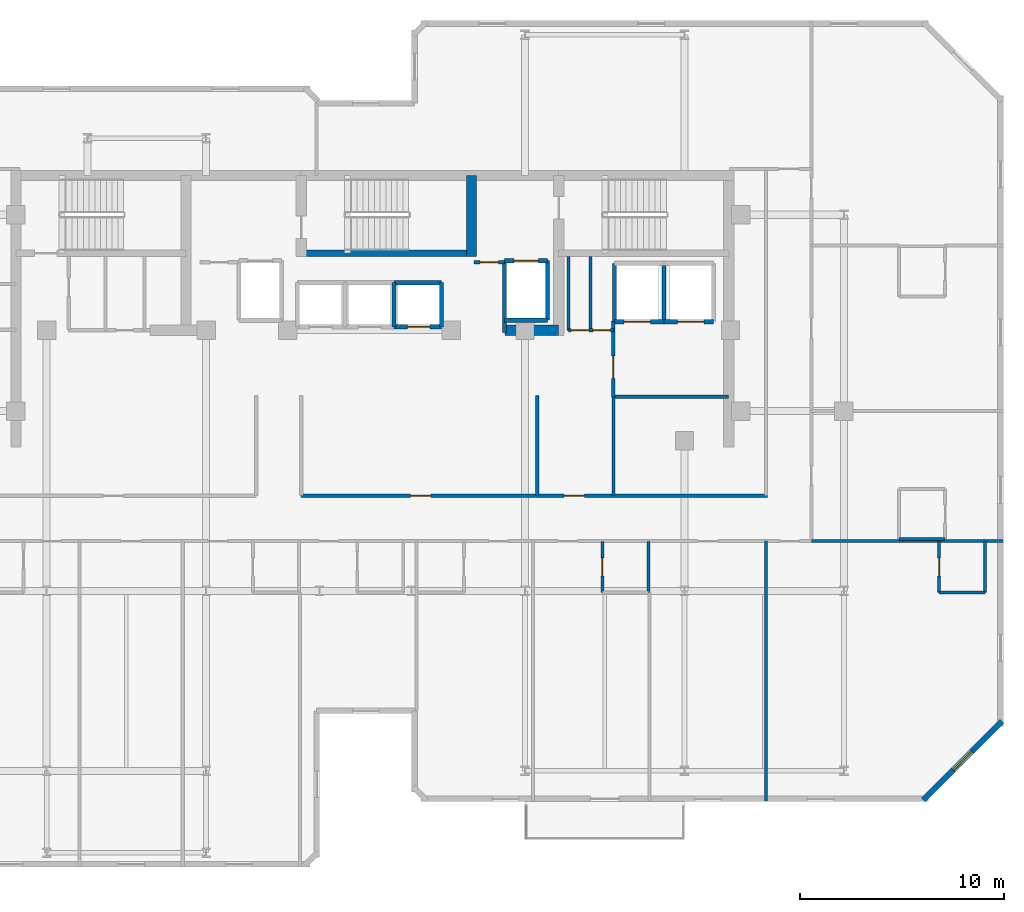
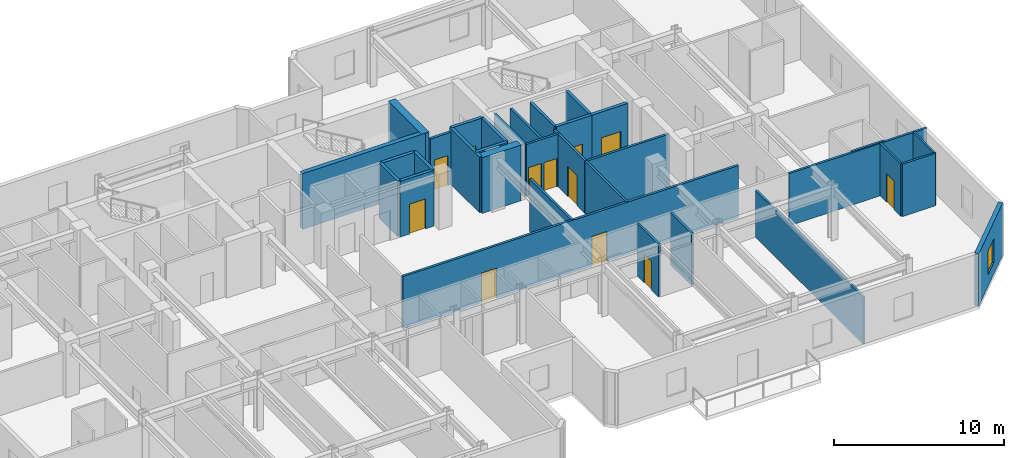
# One storey, part 6 of 11: 33 walls, 12 doors, 1 window, 13 openings.
"""IFC4 building model written with IfcOpenShell, lengths in metres."""

from ifc_helpers import new_model, si_unit, direction, frame, frame_2d, origin, place, context, subcontext, project, spatial, rectangle, extrude, material, layer, layer_set, type_object, element, fill, save


model = new_model("IFC4")

# Units and contexts
model_context = context("Model", 3, precision=1e-05, world=origin(), true_north=direction((0.0, 1.0)))
body_context = subcontext(model_context, "Body", "Model", "MODEL_VIEW")
ifc_project = project(units=[si_unit("LENGTHUNIT", "METRE"), si_unit("AREAUNIT", "SQUARE_METRE"), si_unit("VOLUMEUNIT", "CUBIC_METRE"), si_unit("PLANEANGLEUNIT", "RADIAN"), si_unit("MASSUNIT", "GRAM", prefix="KILO")], contexts=[model_context])

# Site, building, storey
site_placement = place(None, origin())
site = spatial("IfcSite", under=ifc_project, at=site_placement, CompositionType="ELEMENT")
building_placement = place(site_placement, origin())
building = spatial("IfcBuilding", under=site, at=building_placement, Name="Kestravale Grand Hotel", CompositionType="ELEMENT")
storey_placement = place(building_placement, frame((0.0, 0.0, 289.39990234375)))
storey = spatial("IfcBuildingStorey", under=building, at=storey_placement, Name="L72", CompositionType="ELEMENT", Elevation=289.39990234375)

# Walls
ifc_material_1 = material(Name="Concrete f'c 50 MPa", Category="concrete")
ifc_layer_1 = layer(ifc_material_1, 0.5)
ifc_layer_set_1 = layer_set([ifc_layer_1], Name="EW-CORE-500")
wall_type_1 = type_object("IfcWallType", Name="EW-CORE-500", PredefinedType="SHEAR", material=ifc_layer_set_1)
wall_1_placement = place(storey_placement, frame((45.81005859375, 32.75, 0.0), z_axis=(0.0, 0.0, 1.0), x_axis=(1.0, 0.0, 0.0)))
element("IfcWall", 1, at=wall_1_placement, inside=storey, type_object=wall_type_1, Name="L72 core shear wall S2", PredefinedType="SHEAR", context=body_context, shape_type="SweptSolid", body=[
    extrude(rectangle(XDim=2.639892578125, YDim=0.5, at=frame_2d((1.31982421875, 0.0))), origin(), (0.0, 0.0, 1.0), 4.0),
])
wall_2_placement = place(storey_placement, frame((44.179931640625, 36.3701171875, 0.0), z_axis=(0.0, 0.0, 1.0), x_axis=(0.0, 1.0, 0.0)))
element("IfcWall", 2, at=wall_2_placement, inside=storey, type_object=wall_type_1, Name="L72 core shear wall X3", PredefinedType="SHEAR", context=body_context, shape_type="SweptSolid", body=[
    extrude(rectangle(XDim=3.949951171875, YDim=0.5, at=frame_2d((1.97509765625, 0.0))), origin(), (0.0, 0.0, 1.0), 4.0),
])

# Wall, opening, window
ifc_material_2 = material(Name="Precast concrete f'c 45 MPa", Category="concrete")
ifc_layer_2 = layer(ifc_material_2, 0.280029296875)
ifc_layer_set_2 = layer_set([ifc_layer_2], Name="EW-PREC-280")
wall_type_2 = type_object("IfcWallType", Name="EW-PREC-280", PredefinedType="SOLIDWALL", material=ifc_layer_set_2)
wall_3_placement = place(storey_placement, frame((66.272705078125, 9.770751953125, 0.0), z_axis=(0.0, 0.0, 1.0), x_axis=(0.707129162587, 0.707084399077, 0.0)))
wall_3 = element("IfcWall", 3, at=wall_3_placement, inside=storey, type_object=wall_type_2, Name="L72 fluted precast facade wall 8", PredefinedType="SOLIDWALL", context=body_context, shape_type="SweptSolid", body=[
    extrude(rectangle(XDim=5.4541015625, YDim=0.280029296875, at=frame_2d((2.72705078125, 0.0))), origin(), (0.0, 0.0, 1.0), 3.760009765625),
])
opening_1_placement = place(wall_3_placement, frame((2.076904296875, 0.0, 0.85009765625)))
opening_1 = element("IfcOpeningElement", 4, at=opening_1_placement, cuts=wall_3, Name="Opening W-GUEST-1300", PredefinedType="OPENING", context=body_context, shape_type="SweptSolid", body=[
    extrude(rectangle(XDim=1.300048828125, YDim=1.699951171875, at=frame_2d((0.64990234375, 0.85009765625))), frame((0.0, 0.14990234375, 0.0), z_axis=(0.0, -1.0, 0.0), x_axis=(1.0, 0.0, 0.0)), (0.0, 0.0, 1.0), 0.300048828125),
])
ifc_material_3 = material(Name="Insulated low-E double glazing in aluminium frame", Category="aluminium")
window_type = type_object("IfcWindowType", Name="W-GUEST-1300", PartitioningType="SINGLE_PANEL", PredefinedType="WINDOW", material=ifc_material_3)
window_placement = place(opening_1_placement, origin())
window = element("IfcWindow", 5, at=window_placement, inside=storey, type_object=window_type, Name="L72 exterior window 8.1", OverallHeight=1.699951171875, OverallWidth=1.300048828125, PartitioningType="SINGLE_PANEL", PredefinedType="WINDOW", context=body_context, shape_type="SweptSolid", body=[
    extrude(rectangle(XDim=1.300048828125, YDim=1.699951171875, at=frame_2d((0.64990234375, 0.85009765625))), frame((0.0, 0.030029296875, 0.0), z_axis=(0.0, -1.0, 0.0), x_axis=(1.0, 0.0, 0.0)), (0.0, 0.0, 1.0), 0.06005859375),
])
fill(opening_1, window)

# Wall
ifc_material_4 = material(Name="Concrete f'c 45 MPa", Category="concrete")
ifc_layer_3 = layer(ifc_material_4, 0.300048828125)
ifc_layer_set_3 = layer_set([ifc_layer_3], Name="EW-STAIR-300")
wall_type_3 = type_object("IfcWallType", Name="EW-STAIR-300", PredefinedType="SHEAR", material=ifc_layer_set_3)
wall_4_placement = place(storey_placement, frame((35.85009765625, 36.52001953125, 0.0), z_axis=(0.0, 0.0, 1.0), x_axis=(1.0, 0.0, 0.0)))
element("IfcWall", 6, at=wall_4_placement, inside=storey, type_object=wall_type_3, Name="L72 stair enclosure shear wall SST2", PredefinedType="SHEAR", context=body_context, shape_type="SweptSolid", body=[
    extrude(rectangle(XDim=8.329833984375, YDim=0.300048828125, at=frame_2d((4.1650390625, 0.0))), origin(), (0.0, 0.0, 1.0), 4.0),
])

# Wall, opening, door
ifc_material_5 = material(Name="Acoustic fire-rated gypsum board partition", Category="other")
ifc_layer_4 = layer(ifc_material_5, 0.159912109375)
ifc_layer_set_4 = layer_set([ifc_layer_4], Name="IW-CORR-160")
wall_type_4 = type_object("IfcWallType", Name="IW-CORR-160", PredefinedType="PARTITIONING", material=ifc_layer_set_4)
wall_5_placement = place(storey_placement, frame((51.1201171875, 29.5, 0.0), z_axis=(0.0, 0.0, 1.0), x_axis=(0.0, 1.0, 0.0)))
wall_5 = element("IfcWall", 7, at=wall_5_placement, inside=storey, type_object=wall_type_4, Name="W-L72-SVCLOB-W", PredefinedType="PARTITIONING", context=body_context, shape_type="SweptSolid", body=[
    extrude(rectangle(XDim=3.699951171875, YDim=0.159912109375, at=frame_2d((1.85009765625, 0.0))), origin(), (0.0, 0.0, 1.0), 3.760009765625),
])
opening_2_placement = place(wall_5_placement, frame((0.89990234375, 0.0, 0.0)))
opening_2 = element("IfcOpeningElement", 8, at=opening_2_placement, cuts=wall_5, Name="Opening D-CORR-1100", PredefinedType="OPENING", context=body_context, shape_type="SweptSolid", body=[
    extrude(rectangle(XDim=1.10009765625, YDim=2.14990234375, at=frame_2d((0.550048828125, 1.074951171875))), frame((0.0, 0.08984375, 0.0), z_axis=(0.0, -1.0, 0.0), x_axis=(1.0, 0.0, 0.0)), (0.0, 0.0, 1.0), 0.179931640625),
])
ifc_material_6 = material(Name="Single-leaf service vestibule fire door", Category="steel")
door_type_1 = type_object("IfcDoorType", Name="D-CORR-1100", OperationType="NOTDEFINED", PredefinedType="DOOR", material=ifc_material_6)
door_1_placement = place(opening_2_placement, origin())
door_1 = element("IfcDoor", 9, at=door_1_placement, inside=storey, type_object=door_type_1, Name="L72 service lift lobby door", OperationType="SINGLE_SWING_LEFT", OverallHeight=2.14990234375, OverallWidth=1.10009765625, PredefinedType="DOOR", context=body_context, shape_type="SweptSolid", body=[
    extrude(rectangle(XDim=1.10009765625, YDim=2.14990234375, at=frame_2d((0.550048828125, 1.074951171875))), frame((0.0, 0.02490234375, 0.0), z_axis=(0.0, -1.0, 0.0), x_axis=(1.0, 0.0, 0.0)), (0.0, 0.0, 1.0), 0.050048828125),
])
fill(opening_2, door_1)

# Wall
wall_6_placement = place(storey_placement, frame((51.1201171875, 29.5, 0.0), z_axis=(0.0, 0.0, 1.0), x_axis=(1.0, 0.0, 0.0)))
element("IfcWall", 10, at=wall_6_placement, inside=storey, type_object=wall_type_4, Name="L72 service lift lobby wall", PredefinedType="PARTITIONING", context=body_context, shape_type="SweptSolid", body=[
    extrude(rectangle(XDim=5.6298828125, YDim=0.159912109375, at=frame_2d((2.81494140625, 0.0))), origin(), (0.0, 0.0, 1.0), 3.760009765625),
])

# Wall, openings, doors
wall_7_placement = place(storey_placement, frame((48.919921875, 32.75, 0.0), z_axis=(0.0, 0.0, 1.0), x_axis=(1.0, 0.0, 0.0)))
wall_7 = element("IfcWall", 11, at=wall_7_placement, inside=storey, type_object=wall_type_4, Name="W-L72-CES", PredefinedType="PARTITIONING", context=body_context, shape_type="SweptSolid", body=[
    extrude(rectangle(XDim=2.2001953125, YDim=0.159912109375, at=frame_2d((1.10009765625, 0.0))), origin(), (0.0, 0.0, 1.0), 3.760009765625),
])
opening_3_placement = place(wall_7_placement, frame((0.139892578125, 0.0, 0.0)))
opening_3 = element("IfcOpeningElement", 12, at=opening_3_placement, cuts=wall_7, Name="Opening D-SH-860", PredefinedType="OPENING", context=body_context, shape_type="SweptSolid", body=[
    extrude(rectangle(XDim=0.860107421875, YDim=2.050048828125, at=frame_2d((0.43017578125, 1.02490234375))), frame((0.0, 0.08984375, 0.0), z_axis=(0.0, -1.0, 0.0), x_axis=(1.0, 0.0, 0.0)), (0.0, 0.0, 1.0), 0.179931640625),
])
opening_4_placement = place(wall_7_placement, frame((1.199951171875, 0.0, 0.0)))
opening_4 = element("IfcOpeningElement", 13, at=opening_4_placement, cuts=wall_7, Name="Opening D-SH-860", PredefinedType="OPENING", context=body_context, shape_type="SweptSolid", body=[
    extrude(rectangle(XDim=0.860107421875, YDim=2.050048828125, at=frame_2d((0.43017578125, 1.02490234375))), frame((0.0, 0.08984375, 0.0), z_axis=(0.0, -1.0, 0.0), x_axis=(1.0, 0.0, 0.0)), (0.0, 0.0, 1.0), 0.179931640625),
])
ifc_material_7 = material(Name="Galvanised 90-minute riser fire door", Category="steel")
door_type_2 = type_object("IfcDoorType", Name="D-SH-860", OperationType="NOTDEFINED", PredefinedType="DOOR", material=ifc_material_7)
door_2_placement = place(opening_3_placement, origin())
door_2 = element("IfcDoor", 14, at=door_2_placement, inside=storey, type_object=door_type_2, Name="L72 CSTO1 door", OperationType="SINGLE_SWING_LEFT", OverallHeight=2.050048828125, OverallWidth=0.860107421875, PredefinedType="DOOR", context=body_context, shape_type="SweptSolid", body=[
    extrude(rectangle(XDim=0.860107421875, YDim=2.050048828125, at=frame_2d((0.43017578125, 1.02490234375))), frame((0.0, 0.02490234375, 0.0), z_axis=(0.0, -1.0, 0.0), x_axis=(1.0, 0.0, 0.0)), (0.0, 0.0, 1.0), 0.050048828125),
])
fill(opening_3, door_2)
door_3_placement = place(opening_4_placement, origin())
door_3 = element("IfcDoor", 15, at=door_3_placement, inside=storey, type_object=door_type_2, Name="L72 CSTO2 door", OperationType="SINGLE_SWING_RIGHT", OverallHeight=2.050048828125, OverallWidth=0.860107421875, PredefinedType="DOOR", context=body_context, shape_type="SweptSolid", body=[
    extrude(rectangle(XDim=0.860107421875, YDim=2.050048828125, at=frame_2d((0.43017578125, 1.02490234375))), frame((0.0, 0.02490234375, 0.0), z_axis=(0.0, -1.0, 0.0), x_axis=(1.0, 0.0, 0.0)), (0.0, 0.0, 1.0), 0.050048828125),
])
fill(opening_4, door_3)

wall_8_placement = place(storey_placement, frame((35.85009765625, 24.659912109375, 0.0), z_axis=(0.0, 0.0, 1.0), x_axis=(1.0, 0.0, 0.0)))
wall_8 = element("IfcWall", 16, at=wall_8_placement, inside=storey, type_object=wall_type_4, Name="W-L72-CE-N", PredefinedType="PARTITIONING", context=body_context, shape_type="SweptSolid", body=[
    extrude(rectangle(XDim=22.7998046875, YDim=0.159912109375, at=frame_2d((11.39990234375, 0.0))), origin(), (0.0, 0.0, 1.0), 3.760009765625),
])
opening_5_placement = place(wall_8_placement, frame((5.35009765625, 0.0, 0.0)))
opening_5 = element("IfcOpeningElement", 17, at=opening_5_placement, cuts=wall_8, Name="Opening D-GUEST-1000", PredefinedType="OPENING", context=body_context, shape_type="SweptSolid", body=[
    extrude(rectangle(XDim=1.0, YDim=2.14990234375, at=frame_2d((0.5, 1.074951171875))), frame((0.0, 0.08984375, 0.0), z_axis=(0.0, -1.0, 0.0), x_axis=(1.0, 0.0, 0.0)), (0.0, 0.0, 1.0), 0.179931640625),
])
opening_6_placement = place(wall_8_placement, frame((12.85009765625, 0.0, 0.0)))
opening_6 = element("IfcOpeningElement", 18, at=opening_6_placement, cuts=wall_8, Name="Opening D-GUEST-1000", PredefinedType="OPENING", context=body_context, shape_type="SweptSolid", body=[
    extrude(rectangle(XDim=1.0, YDim=2.14990234375, at=frame_2d((0.5, 1.074951171875))), frame((0.0, 0.08984375, 0.0), z_axis=(0.0, -1.0, 0.0), x_axis=(1.0, 0.0, 0.0)), (0.0, 0.0, 1.0), 0.179931640625),
])
ifc_material_8 = material(Name="Accessible walnut veneer hotel entrance fire door", Category="wood")
door_type_3 = type_object("IfcDoorType", Name="D-GUEST-1000", OperationType="NOTDEFINED", PredefinedType="DOOR", material=ifc_material_8)
door_4_placement = place(opening_5_placement, origin())
door_4 = element("IfcDoor", 19, at=door_4_placement, inside=storey, type_object=door_type_3, Name="D-L72-RECL-E1", OperationType="SINGLE_SWING_RIGHT", OverallHeight=2.14990234375, OverallWidth=1.0, PredefinedType="DOOR", context=body_context, shape_type="SweptSolid", body=[
    extrude(rectangle(XDim=1.0, YDim=2.14990234375, at=frame_2d((0.5, 1.074951171875))), frame((0.0, 0.02490234375, 0.0), z_axis=(0.0, -1.0, 0.0), x_axis=(1.0, 0.0, 0.0)), (0.0, 0.0, 1.0), 0.050048828125),
])
fill(opening_5, door_4)
door_5_placement = place(opening_6_placement, origin())
door_5 = element("IfcDoor", 20, at=door_5_placement, inside=storey, type_object=door_type_3, Name="D-L72-RECL-E2", OperationType="SINGLE_SWING_LEFT", OverallHeight=2.14990234375, OverallWidth=1.0, PredefinedType="DOOR", context=body_context, shape_type="SweptSolid", body=[
    extrude(rectangle(XDim=1.0, YDim=2.14990234375, at=frame_2d((0.5, 1.074951171875))), frame((0.0, 0.02490234375, 0.0), z_axis=(0.0, -1.0, 0.0), x_axis=(1.0, 0.0, 0.0)), (0.0, 0.0, 1.0), 0.050048828125),
])
fill(opening_6, door_5)

# Wall, opening, door
ifc_material_9 = material(Name="Fire-rated gypsum board on steel studs with mineral wool", Category="steel")
ifc_layer_5 = layer(ifc_material_9, 0.179931640625)
ifc_layer_set_5 = layer_set([ifc_layer_5], Name="IW-FSAE-180")
wall_type_5 = type_object("IfcWallType", Name="IW-FSAE-180", PredefinedType="PARTITIONING", material=ifc_layer_set_5)
wall_9_placement = place(storey_placement, frame((44.300048828125, 36.080078125, 0.0), z_axis=(0.0, 0.0, 1.0), x_axis=(1.0, 0.0, 0.0)))
wall_9 = element("IfcWall", 21, at=wall_9_placement, inside=storey, type_object=wall_type_5, Name="L72 FSAE Lobby 2 smoke barrier", PredefinedType="PARTITIONING", context=body_context, shape_type="SweptSolid", body=[
    extrude(rectangle(XDim=1.5, YDim=0.179931640625, at=frame_2d((0.75, 0.0))), origin(), (0.0, 0.0, 1.0), 3.760009765625),
])
opening_7_placement = place(wall_9_placement, frame((0.300048828125, 0.0, 0.0)))
opening_7 = element("IfcOpeningElement", 22, at=opening_7_placement, cuts=wall_9, Name="Opening D-FSAE-1000", PredefinedType="OPENING", context=body_context, shape_type="SweptSolid", body=[
    extrude(rectangle(XDim=0.89990234375, YDim=2.14990234375, at=frame_2d((0.449951171875, 1.074951171875))), frame((0.0, 0.099853515625, 0.0), z_axis=(0.0, -1.0, 0.0), x_axis=(1.0, 0.0, 0.0)), (0.0, 0.0, 1.0), 0.199951171875),
])
ifc_material_10 = material(Name="Smoke-gasketed FSAE lobby fire door", Category="steel")
door_type_4 = type_object("IfcDoorType", Name="D-FSAE-1000", OperationType="NOTDEFINED", PredefinedType="DOOR", material=ifc_material_10)
door_6_placement = place(opening_7_placement, origin())
door_6 = element("IfcDoor", 23, at=door_6_placement, inside=storey, type_object=door_type_4, Name="L72 FSAE Lobby 2 fire door", OperationType="SINGLE_SWING_LEFT", OverallHeight=2.14990234375, OverallWidth=0.89990234375, PredefinedType="DOOR", context=body_context, shape_type="SweptSolid", body=[
    extrude(rectangle(XDim=0.89990234375, YDim=2.14990234375, at=frame_2d((0.449951171875, 1.074951171875))), frame((0.0, 0.02490234375, 0.0), z_axis=(0.0, -1.0, 0.0), x_axis=(1.0, 0.0, 0.0)), (0.0, 0.0, 1.0), 0.050048828125),
])
fill(opening_7, door_6)

ifc_material_11 = material(Name="Moisture-resistant tile-backer plumbing chase wall", Category="other")
ifc_layer_6 = layer(ifc_material_11, 0.139892578125)
ifc_layer_set_6 = layer_set([ifc_layer_6], Name="IW-PLB-140")
wall_type_6 = type_object("IfcWallType", Name="IW-PLB-140", PredefinedType="PLUMBINGWALL", material=ifc_layer_set_6)
wall_10_placement = place(storey_placement, frame((50.58251953125, 19.929931640625, 0.0), z_axis=(0.0, 0.0, 1.0), x_axis=(0.0, 1.0, 0.0)))
wall_10 = element("IfcWall", 24, at=wall_10_placement, inside=storey, type_object=wall_type_6, Name="W-L72-U05-BW", PredefinedType="PLUMBINGWALL", context=body_context, shape_type="SweptSolid", body=[
    extrude(rectangle(XDim=2.489990234375, YDim=0.139892578125, at=frame_2d((1.2451171875, 0.0))), origin(), (0.0, 0.0, 1.0), 3.760009765625),
])
opening_8_placement = place(wall_10_placement, frame((0.804931640625, 0.0, 0.0)))
opening_8 = element("IfcOpeningElement", 25, at=opening_8_placement, cuts=wall_10, Name="Opening D-BATH-880", PredefinedType="OPENING", context=body_context, shape_type="SweptSolid", body=[
    extrude(rectangle(XDim=0.8798828125, YDim=2.050048828125, at=frame_2d((0.43994140625, 1.02490234375))), frame((0.0, 0.079833984375, 0.0), z_axis=(0.0, -1.0, 0.0), x_axis=(1.0, 0.0, 0.0)), (0.0, 0.0, 1.0), 0.159912109375),
])
ifc_material_12 = material(Name="Moisture-sealed walnut en-suite bathroom door", Category="wood")
door_type_5 = type_object("IfcDoorType", Name="D-BATH-880", OperationType="NOTDEFINED", PredefinedType="DOOR", material=ifc_material_12)
door_7_placement = place(opening_8_placement, origin())
door_7 = element("IfcDoor", 26, at=door_7_placement, inside=storey, type_object=door_type_5, Name="D-L72-U05-BATH", OperationType="SINGLE_SWING_LEFT", OverallHeight=2.050048828125, OverallWidth=0.8798828125, PredefinedType="DOOR", context=body_context, shape_type="SweptSolid", body=[
    extrude(rectangle(XDim=0.8798828125, YDim=2.050048828125, at=frame_2d((0.43994140625, 1.02490234375))), frame((0.0, 0.02490234375, 0.0), z_axis=(0.0, -1.0, 0.0), x_axis=(1.0, 0.0, 0.0)), (0.0, 0.0, 1.0), 0.050048828125),
])
fill(opening_8, door_7)

# Wall
wall_11_placement = place(storey_placement, frame((52.83251953125, 19.929931640625, 0.0), z_axis=(0.0, 0.0, 1.0), x_axis=(0.0, 1.0, 0.0)))
element("IfcWall", 27, at=wall_11_placement, inside=storey, type_object=wall_type_6, Name="W-L72-U05-BE", PredefinedType="PLUMBINGWALL", context=body_context, shape_type="SweptSolid", body=[
    extrude(rectangle(XDim=2.489990234375, YDim=0.139892578125, at=frame_2d((1.2451171875, 0.0))), origin(), (0.0, 0.0, 1.0), 3.760009765625),
])

# Wall, opening, door
wall_12_placement = place(storey_placement, frame((67.050048828125, 19.929931640625, 0.0), z_axis=(0.0, 0.0, 1.0), x_axis=(0.0, 1.0, 0.0)))
wall_12 = element("IfcWall", 28, at=wall_12_placement, inside=storey, type_object=wall_type_6, Name="W-L72-U09-BW", PredefinedType="PLUMBINGWALL", context=body_context, shape_type="SweptSolid", body=[
    extrude(rectangle(XDim=2.489990234375, YDim=0.139892578125, at=frame_2d((1.2451171875, 0.0))), origin(), (0.0, 0.0, 1.0), 3.760009765625),
])
opening_9_placement = place(wall_12_placement, frame((0.804931640625, 0.0, 0.0)))
opening_9 = element("IfcOpeningElement", 29, at=opening_9_placement, cuts=wall_12, Name="Opening D-BATH-880", PredefinedType="OPENING", context=body_context, shape_type="SweptSolid", body=[
    extrude(rectangle(XDim=0.8798828125, YDim=2.050048828125, at=frame_2d((0.43994140625, 1.02490234375))), frame((0.0, 0.079833984375, 0.0), z_axis=(0.0, -1.0, 0.0), x_axis=(1.0, 0.0, 0.0)), (0.0, 0.0, 1.0), 0.159912109375),
])
door_8_placement = place(opening_9_placement, origin())
door_8 = element("IfcDoor", 30, at=door_8_placement, inside=storey, type_object=door_type_5, Name="D-L72-U09-BATH", OperationType="SINGLE_SWING_LEFT", OverallHeight=2.050048828125, OverallWidth=0.8798828125, PredefinedType="DOOR", context=body_context, shape_type="SweptSolid", body=[
    extrude(rectangle(XDim=0.8798828125, YDim=2.050048828125, at=frame_2d((0.43994140625, 1.02490234375))), frame((0.0, 0.02490234375, 0.0), z_axis=(0.0, -1.0, 0.0), x_axis=(1.0, 0.0, 0.0)), (0.0, 0.0, 1.0), 0.050048828125),
])
fill(opening_9, door_8)

# Walls
wall_13_placement = place(storey_placement, frame((69.300048828125, 19.929931640625, 0.0), z_axis=(0.0, 0.0, 1.0), x_axis=(0.0, 1.0, 0.0)))
element("IfcWall", 31, at=wall_13_placement, inside=storey, type_object=wall_type_6, Name="W-L72-U09-BE", PredefinedType="PLUMBINGWALL", context=body_context, shape_type="SweptSolid", body=[
    extrude(rectangle(XDim=2.489990234375, YDim=0.139892578125, at=frame_2d((1.2451171875, 0.0))), origin(), (0.0, 0.0, 1.0), 3.760009765625),
])
for number, where, z_axis, x_axis, name in (
    (32, (67.050048828125, 19.929931640625, 0.0), (0.0, 0.0, 1.0), (1.0, 0.0, 0.0), "W-L72-U09-BS"),
    (33, (65.10009765625, 22.5400390625, 0.0), (0.0, 0.0, 1.0), (1.0, 0.0, 0.0), "W-L72-U10-BS"),
):
    element("IfcWall", number, at=place(storey_placement, frame(where, z_axis=z_axis, x_axis=x_axis)), inside=storey, type_object=wall_type_6, Name=name, PredefinedType="PLUMBINGWALL", context=body_context, shape_type="SweptSolid", body=[
        extrude(rectangle(XDim=2.25, YDim=0.139892578125, at=frame_2d((1.125, 0.0))), origin(), (0.0, 0.0, 1.0), 3.760009765625),
    ])
ifc_material_13 = material(Name="Concrete f'c 45 MPa", Category="concrete")
ifc_layer_7 = layer(ifc_material_13, 0.199951171875)
ifc_layer_set_7 = layer_set([ifc_layer_7], Name="IW-SHAFT-200")
wall_type_7 = type_object("IfcWallType", Name="IW-SHAFT-200", PredefinedType="SHEAR", material=ifc_layer_set_7)
for number, where, z_axis, x_axis, name in (
    (34, (40.39990234375, 32.919921875, 0.0), (0.0, 0.0, 1.0), (0.0, 1.0, 0.0), "L72 PL-X3 west shaft wall"),
    (35, (42.719970703125, 32.919921875, 0.0), (0.0, 0.0, 1.0), (0.0, 1.0, 0.0), "L72 PL-X3 east shaft wall"),
):
    element("IfcWall", number, at=place(storey_placement, frame(where, z_axis=z_axis, x_axis=x_axis)), inside=storey, type_object=wall_type_7, Name=name, PredefinedType="SHEAR", context=body_context, shape_type="SweptSolid", body=[
        extrude(rectangle(XDim=2.16015625, YDim=0.199951171875, at=frame_2d((1.080078125, 0.0))), origin(), (0.0, 0.0, 1.0), 4.0),
    ])
for number, where, z_axis, x_axis, name in (
    (36, (51.179931640625, 33.169921875, 0.0), (0.0, 0.0, 1.0), (0.0, 1.0, 0.0), "L72 SL-1 west shaft wall"),
    (37, (53.60009765625, 33.169921875, 0.0), (0.0, 0.0, 1.0), (0.0, 1.0, 0.0), "L72 SL-2 west shaft wall"),
):
    element("IfcWall", number, at=place(storey_placement, frame(where, z_axis=z_axis, x_axis=x_axis)), inside=storey, type_object=wall_type_7, Name=name, PredefinedType="SHEAR", context=body_context, shape_type="SweptSolid", body=[
        extrude(rectangle(XDim=2.860107421875, YDim=0.199951171875, at=frame_2d((1.43017578125, 0.0))), origin(), (0.0, 0.0, 1.0), 4.0),
    ])
wall_14_placement = place(storey_placement, frame((45.804931640625, 32.64990234375, 0.0), z_axis=(0.0, 0.0, 1.0), x_axis=(0.0, 1.0, 0.0)))
element("IfcWall", 38, at=wall_14_placement, inside=storey, type_object=wall_type_7, Name="L72 FL-2 west shaft wall", PredefinedType="SHEAR", context=body_context, shape_type="SweptSolid", body=[
    extrude(rectangle(XDim=3.505126953125, YDim=0.199951171875, at=frame_2d((1.75244140625, 0.0))), origin(), (0.0, 0.0, 1.0), 4.0),
])
wall_15_placement = place(storey_placement, frame((47.89501953125, 33.2451171875, 0.0), z_axis=(0.0, 0.0, 1.0), x_axis=(0.0, 1.0, 0.0)))
element("IfcWall", 39, at=wall_15_placement, inside=storey, type_object=wall_type_7, Name="L72 FL-2 east shaft wall", PredefinedType="SHEAR", context=body_context, shape_type="SweptSolid", body=[
    extrude(rectangle(XDim=2.909912109375, YDim=0.199951171875, at=frame_2d((1.455078125, 0.0))), origin(), (0.0, 0.0, 1.0), 4.0),
])
ifc_material_14 = material(Name="Concrete f'c 45 MPa", Category="concrete")
ifc_layer_8 = layer(ifc_material_14, 0.219970703125)
ifc_layer_set_8 = layer_set([ifc_layer_8], Name="IW-SHAFT-220")
wall_type_8 = type_object("IfcWallType", Name="IW-SHAFT-220", PredefinedType="SHEAR", material=ifc_layer_set_8)
wall_16_placement = place(storey_placement, frame((40.39990234375, 35.080078125, 0.0), z_axis=(0.0, 0.0, 1.0), x_axis=(1.0, 0.0, 0.0)))
element("IfcWall", 40, at=wall_16_placement, inside=storey, type_object=wall_type_8, Name="L72 PL-X3 north shaft wall", PredefinedType="SHEAR", context=body_context, shape_type="SweptSolid", body=[
    extrude(rectangle(XDim=2.320068359375, YDim=0.219970703125, at=frame_2d((1.16015625, 0.0))), origin(), (0.0, 0.0, 1.0), 4.0),
])

# Wall, opening, door
wall_17_placement = place(storey_placement, frame((40.39990234375, 32.919921875, 0.0), z_axis=(0.0, 0.0, 1.0), x_axis=(1.0, 0.0, 0.0)))
wall_17 = element("IfcWall", 41, at=wall_17_placement, inside=storey, type_object=wall_type_8, Name="L72 PL-X3 south shaft wall", PredefinedType="SHEAR", context=body_context, shape_type="SweptSolid", body=[
    extrude(rectangle(XDim=2.320068359375, YDim=0.219970703125, at=frame_2d((1.16015625, 0.0))), origin(), (0.0, 0.0, 1.0), 4.0),
])
opening_10_placement = place(wall_17_placement, frame((0.64990234375, 0.0, 0.0)))
opening_10 = element("IfcOpeningElement", 42, at=opening_10_placement, cuts=wall_17, Name="Opening LD-PAX-1100", PredefinedType="OPENING", context=body_context, shape_type="SweptSolid", body=[
    extrude(rectangle(XDim=1.10009765625, YDim=2.14990234375, at=frame_2d((0.550048828125, 1.074951171875))), frame((0.0, 0.119873046875, 0.0), z_axis=(0.0, -1.0, 0.0), x_axis=(1.0, 0.0, 0.0)), (0.0, 0.0, 1.0), 0.239990234375),
])
ifc_material_15 = material(Name="Champagne-bronze center-opening sliding elevator landing door", Category="steel")
door_type_6 = type_object("IfcDoorType", Name="LD-PAX-1100", OperationType="NOTDEFINED", PredefinedType="DOOR", material=ifc_material_15)
door_9_placement = place(opening_10_placement, origin())
door_9 = element("IfcDoor", 43, at=door_9_placement, inside=storey, type_object=door_type_6, Name="L72 PL-X3 elevator landing sliding door", OperationType="DOUBLE_DOOR_SLIDING", OverallHeight=2.14990234375, OverallWidth=1.10009765625, PredefinedType="DOOR", context=body_context, shape_type="SweptSolid", body=[
    extrude(rectangle(XDim=1.10009765625, YDim=2.14990234375, at=frame_2d((0.550048828125, 1.074951171875))), frame((0.0, 0.02490234375, 0.0), z_axis=(0.0, -1.0, 0.0), x_axis=(1.0, 0.0, 0.0)), (0.0, 0.0, 1.0), 0.050048828125),
])
fill(opening_10, door_9)

wall_18_placement = place(storey_placement, frame((51.179931640625, 33.169921875, 0.0), z_axis=(0.0, 0.0, 1.0), x_axis=(1.0, 0.0, 0.0)))
wall_18 = element("IfcWall", 44, at=wall_18_placement, inside=storey, type_object=wall_type_8, Name="L72 SL-1 south shaft wall", PredefinedType="SHEAR", context=body_context, shape_type="SweptSolid", body=[
    extrude(rectangle(XDim=2.420166015625, YDim=0.219970703125, at=frame_2d((1.2099609375, 0.0))), origin(), (0.0, 0.0, 1.0), 4.0),
])
opening_11_placement = place(wall_18_placement, frame((0.469970703125, 0.0, 0.0)))
opening_11 = element("IfcOpeningElement", 45, at=opening_11_placement, cuts=wall_18, Name="Opening LD-SVC-1300", PredefinedType="OPENING", context=body_context, shape_type="SweptSolid", body=[
    extrude(rectangle(XDim=1.300048828125, YDim=2.14990234375, at=frame_2d((0.64990234375, 1.074951171875))), frame((0.0, 0.119873046875, 0.0), z_axis=(0.0, -1.0, 0.0), x_axis=(1.0, 0.0, 0.0)), (0.0, 0.0, 1.0), 0.239990234375),
])
ifc_material_16 = material(Name="Heavy-duty service sliding elevator landing door", Category="steel")
door_type_7 = type_object("IfcDoorType", Name="LD-SVC-1300", OperationType="NOTDEFINED", PredefinedType="DOOR", material=ifc_material_16)
door_10_placement = place(opening_11_placement, origin())
door_10 = element("IfcDoor", 46, at=door_10_placement, inside=storey, type_object=door_type_7, Name="L72 SL-1 elevator landing sliding door", OperationType="DOUBLE_DOOR_SLIDING", OverallHeight=2.14990234375, OverallWidth=1.300048828125, PredefinedType="DOOR", context=body_context, shape_type="SweptSolid", body=[
    extrude(rectangle(XDim=1.300048828125, YDim=2.14990234375, at=frame_2d((0.64990234375, 1.074951171875))), frame((0.0, 0.02490234375, 0.0), z_axis=(0.0, -1.0, 0.0), x_axis=(1.0, 0.0, 0.0)), (0.0, 0.0, 1.0), 0.050048828125),
])
fill(opening_11, door_10)

wall_19_placement = place(storey_placement, frame((53.60009765625, 33.169921875, 0.0), z_axis=(0.0, 0.0, 1.0), x_axis=(1.0, 0.0, 0.0)))
wall_19 = element("IfcWall", 47, at=wall_19_placement, inside=storey, type_object=wall_type_8, Name="L72 SL-2 south shaft wall", PredefinedType="SHEAR", context=body_context, shape_type="SweptSolid", body=[
    extrude(rectangle(XDim=2.419921875, YDim=0.219970703125, at=frame_2d((1.2099609375, 0.0))), origin(), (0.0, 0.0, 1.0), 4.0),
])
opening_12_placement = place(wall_19_placement, frame((0.64990234375, 0.0, 0.0)))
opening_12 = element("IfcOpeningElement", 48, at=opening_12_placement, cuts=wall_19, Name="Opening LD-SVC-1300", PredefinedType="OPENING", context=body_context, shape_type="SweptSolid", body=[
    extrude(rectangle(XDim=1.300048828125, YDim=2.14990234375, at=frame_2d((0.64990234375, 1.074951171875))), frame((0.0, 0.119873046875, 0.0), z_axis=(0.0, -1.0, 0.0), x_axis=(1.0, 0.0, 0.0)), (0.0, 0.0, 1.0), 0.239990234375),
])
door_11_placement = place(opening_12_placement, origin())
door_11 = element("IfcDoor", 49, at=door_11_placement, inside=storey, type_object=door_type_7, Name="L72 SL-2 elevator landing sliding door", OperationType="DOUBLE_DOOR_SLIDING", OverallHeight=2.14990234375, OverallWidth=1.300048828125, PredefinedType="DOOR", context=body_context, shape_type="SweptSolid", body=[
    extrude(rectangle(XDim=1.300048828125, YDim=2.14990234375, at=frame_2d((0.64990234375, 1.074951171875))), frame((0.0, 0.02490234375, 0.0), z_axis=(0.0, -1.0, 0.0), x_axis=(1.0, 0.0, 0.0)), (0.0, 0.0, 1.0), 0.050048828125),
])
fill(opening_12, door_11)

wall_20_placement = place(storey_placement, frame((45.804931640625, 36.155029296875, 0.0), z_axis=(0.0, 0.0, 1.0), x_axis=(1.0, 0.0, 0.0)))
wall_20 = element("IfcWall", 50, at=wall_20_placement, inside=storey, type_object=wall_type_8, Name="L72 FL-2 north shaft wall", PredefinedType="SHEAR", context=body_context, shape_type="SweptSolid", body=[
    extrude(rectangle(XDim=2.090087890625, YDim=0.219970703125, at=frame_2d((1.044921875, 0.0))), origin(), (0.0, 0.0, 1.0), 4.0),
])
opening_13_placement = place(wall_20_placement, frame((0.445068359375, 0.0, 0.0)))
opening_13 = element("IfcOpeningElement", 51, at=opening_13_placement, cuts=wall_20, Name="Opening LD-FSAE-1200", PredefinedType="OPENING", context=body_context, shape_type="SweptSolid", body=[
    extrude(rectangle(XDim=1.199951171875, YDim=2.14990234375, at=frame_2d((0.60009765625, 1.074951171875))), frame((0.0, 0.119873046875, 0.0), z_axis=(0.0, -1.0, 0.0), x_axis=(1.0, 0.0, 0.0)), (0.0, 0.0, 1.0), 0.239990234375),
])
ifc_material_17 = material(Name="Stainless fire-service sliding elevator landing door", Category="steel")
door_type_8 = type_object("IfcDoorType", Name="LD-FSAE-1200", OperationType="NOTDEFINED", PredefinedType="DOOR", material=ifc_material_17)
door_12_placement = place(opening_13_placement, origin())
door_12 = element("IfcDoor", 52, at=door_12_placement, inside=storey, type_object=door_type_8, Name="L72 FL-2 elevator landing sliding door", OperationType="DOUBLE_DOOR_SLIDING", OverallHeight=2.14990234375, OverallWidth=1.199951171875, PredefinedType="DOOR", context=body_context, shape_type="SweptSolid", body=[
    extrude(rectangle(XDim=1.199951171875, YDim=2.14990234375, at=frame_2d((0.60009765625, 1.074951171875))), frame((0.0, 0.02490234375, 0.0), z_axis=(0.0, -1.0, 0.0), x_axis=(1.0, 0.0, 0.0)), (0.0, 0.0, 1.0), 0.050048828125),
])
fill(opening_13, door_12)

# Walls
wall_21_placement = place(storey_placement, frame((45.804931640625, 33.2451171875, 0.0), z_axis=(0.0, 0.0, 1.0), x_axis=(1.0, 0.0, 0.0)))
element("IfcWall", 53, at=wall_21_placement, inside=storey, type_object=wall_type_8, Name="L72 FL-2 south shaft wall", PredefinedType="SHEAR", context=body_context, shape_type="SweptSolid", body=[
    extrude(rectangle(XDim=2.090087890625, YDim=0.219970703125, at=frame_2d((1.044921875, 0.0))), origin(), (0.0, 0.0, 1.0), 4.0),
])
ifc_material_18 = material(Name="Double-stud STC 52 acoustic demising partition", Category="other")
ifc_layer_9 = layer(ifc_material_18, 0.14990234375)
ifc_layer_set_9 = layer_set([ifc_layer_9], Name="IW-UNIT-150")
wall_type_9 = type_object("IfcWallType", Name="IW-UNIT-150", PredefinedType="PARTITIONING", material=ifc_layer_set_9)
for number, where, z_axis, x_axis, name in (
    (54, (48.919921875, 32.75, 0.0), (0.0, 0.0, 1.0), (0.0, 1.0, 0.0), "W-L72-CEW"),
    (55, (50.010009765625, 32.75, 0.0), (0.0, 0.0, 1.0), (0.0, 1.0, 0.0), "W-L72-CC1-EM"),
):
    element("IfcWall", number, at=place(storey_placement, frame(where, z_axis=z_axis, x_axis=x_axis)), inside=storey, type_object=wall_type_9, Name=name, PredefinedType="PARTITIONING", context=body_context, shape_type="SweptSolid", body=[
        extrude(rectangle(XDim=3.6201171875, YDim=0.14990234375, at=frame_2d((1.81005859375, 0.0))), origin(), (0.0, 0.0, 1.0), 3.760009765625),
    ])
for number, where, z_axis, x_axis, name in (
    (56, (47.39990234375, 24.659912109375, 0.0), (0.0, 0.0, 1.0), (0.0, 1.0, 0.0), "W-L72-RCLE-M"),
    (57, (51.1201171875, 24.659912109375, 0.0), (0.0, 0.0, 1.0), (0.0, 1.0, 0.0), "W-L72-RCLE-E"),
):
    element("IfcWall", number, at=place(storey_placement, frame(where, z_axis=z_axis, x_axis=x_axis)), inside=storey, type_object=wall_type_9, Name=name, PredefinedType="PARTITIONING", context=body_context, shape_type="SweptSolid", body=[
        extrude(rectangle(XDim=4.89013671875, YDim=0.14990234375, at=frame_2d((2.445068359375, 0.0))), origin(), (0.0, 0.0, 1.0), 3.760009765625),
    ])
wall_22_placement = place(storey_placement, frame((58.590087890625, 9.719970703125, 0.0), z_axis=(0.0, 0.0, 1.0), x_axis=(0.0, 1.0, 0.0)))
element("IfcWall", 58, at=wall_22_placement, inside=storey, type_object=wall_type_9, Name="W-L72-SEC-W", PredefinedType="PARTITIONING", context=body_context, shape_type="SweptSolid", body=[
    extrude(rectangle(XDim=12.719970703125, YDim=0.14990234375, at=frame_2d((6.35986328125, 0.0))), origin(), (0.0, 0.0, 1.0), 3.356201171875),
])
wall_23_placement = place(storey_placement, frame((60.81005859375, 22.43994140625, 0.0), z_axis=(0.0, 0.0, 1.0), x_axis=(1.0, 0.0, 0.0)))
element("IfcWall", 59, at=wall_23_placement, inside=storey, type_object=wall_type_9, Name="W-L72-SEC-N", PredefinedType="PARTITIONING", context=body_context, shape_type="SweptSolid", body=[
    extrude(rectangle(XDim=9.369873046875, YDim=0.14990234375, at=frame_2d((4.68505859375, 0.0))), origin(), (0.0, 0.0, 1.0), 3.760009765625),
])

save(model, "model.ifc")
